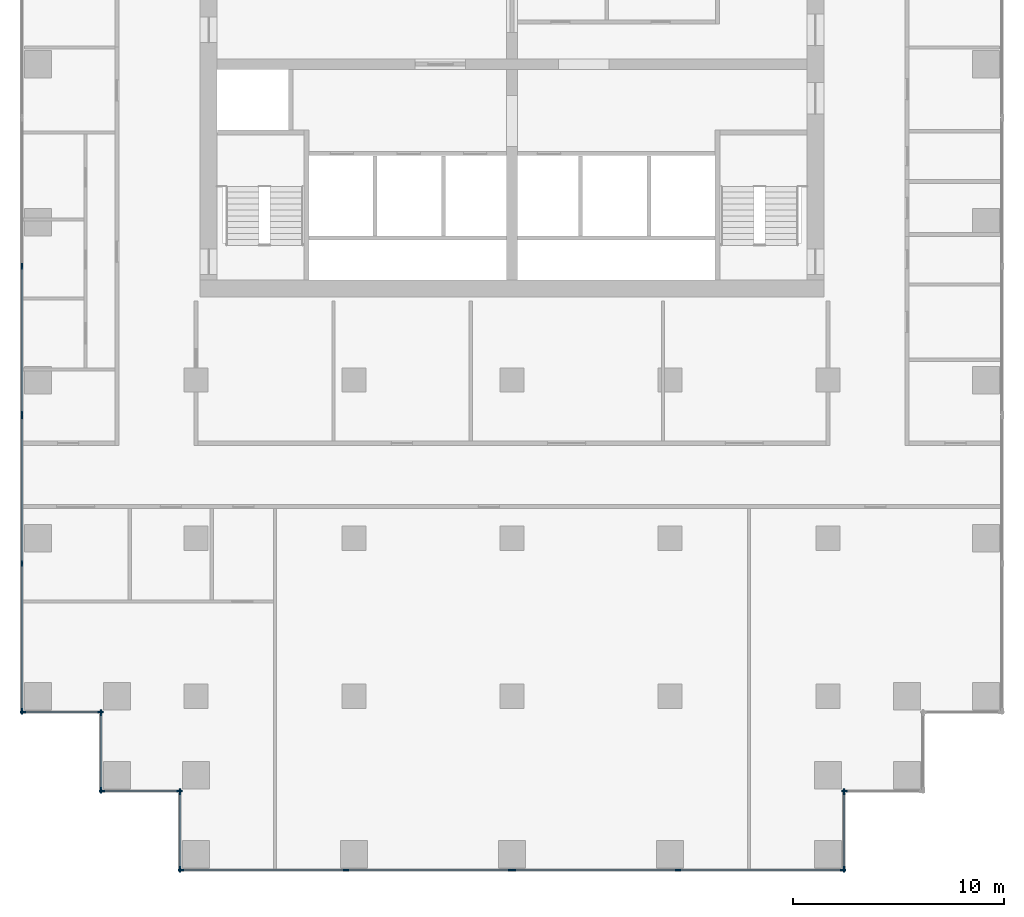
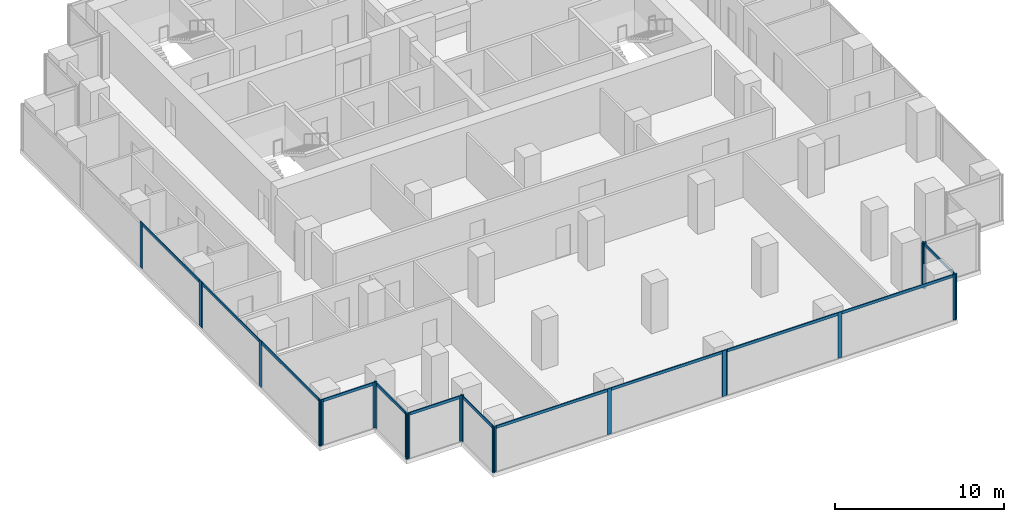
# One storey, part 2 of 10: 34 members, 10 elements without a shape of their own.
"""IFC4 building model written with IfcOpenShell, lengths in metres."""

from ifc_helpers import new_model, si_unit, direction, frame, origin, origin_2d, place, context, subcontext, project, spatial, rectangle, extrude, material, material_profile, profile_set, type_object, element, aggregate, save


model = new_model("IFC4")

# Units and contexts
model_context = context("Model", 3, precision=1e-05, world=origin(), true_north=direction((0.0, 1.0)))
body_context = subcontext(model_context, "Body", "Model", "MODEL_VIEW")
ifc_project = project(units=[si_unit("LENGTHUNIT", "METRE"), si_unit("AREAUNIT", "SQUARE_METRE"), si_unit("VOLUMEUNIT", "CUBIC_METRE"), si_unit("PLANEANGLEUNIT", "RADIAN"), si_unit("MASSUNIT", "GRAM", prefix="KILO")], contexts=[model_context])

# Site, building, storey
site_placement = place(None, origin())
site = spatial("IfcSite", under=ifc_project, at=site_placement, CompositionType="ELEMENT")
building_placement = place(site_placement, origin())
building = spatial("IfcBuilding", under=site, at=building_placement, Name="Pilkhan Gate Tower", CompositionType="ELEMENT")
storey_placement = place(building_placement, frame((0.0, 0.0, 136.0)))
storey = spatial("IfcBuildingStorey", under=building, at=storey_placement, Name="L34", CompositionType="ELEMENT", Elevation=136.0)

# Curtain wall, members
ifc_material_1 = material(Name="Pale anodised aluminium, clear low-iron double glazing", Category="aluminium")
curtain_wall_type = type_object("IfcCurtainWallType", Name="Office unitised curtain wall CW-O1", PredefinedType="USERDEFINED", material=ifc_material_1)
curtain_wall_1_placement = place(storey_placement, origin())
curtain_wall_1 = element("IfcCurtainWall", 1, at=curtain_wall_1_placement, inside=storey, type_object=curtain_wall_type, Name="Office unitised curtain wall CW-O1 L34 W", ObjectType="UNITISED CURTAIN WALL", PredefinedType="USERDEFINED")
ifc_material_2 = material(Name="Pale anodised aluminium", Category="aluminium")
ifc_material_profile_1 = material_profile(ifc_material_2, rectangle(XDim=0.070068359375, YDim=0.27490234375, at=origin_2d()), Name="Mullion 275x70")
ifc_profile_set_1 = profile_set([ifc_material_profile_1], Name="Pale anodised aluminium")
member_type_1 = type_object("IfcMemberType", Name="Mullion CW-O1 275x70", PredefinedType="MULLION", material=ifc_profile_set_1)
member_1_placement = place(storey_placement, frame((51.75, 51.784912109375, 0.0), z_axis=(0.0, 0.0, 1.0), x_axis=(-1.0, 0.0, 0.0)))
member_1 = element("IfcMember", 2, at=member_1_placement, type_object=member_type_1, Name="CW-O1 mullion 1", PredefinedType="MULLION", context=body_context, shape_type="SweptSolid", body=[
    extrude(rectangle(XDim=0.070068359375, YDim=0.27490234375, at=origin_2d()), origin(), (0.0, 0.0, 1.0), 3.300048828125),
])
member_2_placement = place(storey_placement, frame((51.75, 58.800048828125, 0.0), z_axis=(0.0, 0.0, 1.0), x_axis=(-1.0, 0.0, 0.0)))
member_2 = element("IfcMember", 3, at=member_2_placement, type_object=member_type_1, Name="CW-O1 mullion 2", PredefinedType="MULLION", context=body_context, shape_type="SweptSolid", body=[
    extrude(rectangle(XDim=0.070068359375, YDim=0.27490234375, at=origin_2d()), origin(), (0.0, 0.0, 1.0), 3.300048828125),
])
member_3_placement = place(storey_placement, frame((51.75, 65.81494140625, 0.0), z_axis=(0.0, 0.0, 1.0), x_axis=(-1.0, 0.0, 0.0)))
member_3 = element("IfcMember", 4, at=member_3_placement, type_object=member_type_1, Name="CW-O1 mullion 3", PredefinedType="MULLION", context=body_context, shape_type="SweptSolid", body=[
    extrude(rectangle(XDim=0.070068359375, YDim=0.27490234375, at=origin_2d()), origin(), (0.0, 0.0, 1.0), 3.300048828125),
])

curtain_wall_2_placement = place(storey_placement, origin())
curtain_wall_2 = element("IfcCurtainWall", 5, at=curtain_wall_2_placement, inside=storey, type_object=curtain_wall_type, Name="Office unitised curtain wall CW-O1 L34 W", ObjectType="UNITISED CURTAIN WALL", PredefinedType="USERDEFINED")
member_4_placement = place(storey_placement, frame((51.75, 65.885009765625, 0.0), z_axis=(0.0, 0.0, 1.0), x_axis=(-1.0, 0.0, 0.0)))
member_4 = element("IfcMember", 6, at=member_4_placement, type_object=member_type_1, Name="CW-O1 mullion 1", PredefinedType="MULLION", context=body_context, shape_type="SweptSolid", body=[
    extrude(rectangle(XDim=0.070068359375, YDim=0.27490234375, at=origin_2d()), origin(), (0.0, 0.0, 1.0), 3.300048828125),
])
member_5_placement = place(storey_placement, frame((51.75, 72.89990234375, 0.0), z_axis=(0.0, 0.0, 1.0), x_axis=(-1.0, 0.0, 0.0)))
member_5 = element("IfcMember", 7, at=member_5_placement, type_object=member_type_1, Name="CW-O1 mullion 2", PredefinedType="MULLION", context=body_context, shape_type="SweptSolid", body=[
    extrude(rectangle(XDim=0.070068359375, YDim=0.27490234375, at=origin_2d()), origin(), (0.0, 0.0, 1.0), 3.300048828125),
])

curtain_wall_3_placement = place(storey_placement, origin())
curtain_wall_3 = element("IfcCurtainWall", 8, at=curtain_wall_3_placement, inside=storey, type_object=curtain_wall_type, Name="Office unitised curtain wall CW-O1 L34 S", ObjectType="UNITISED CURTAIN WALL", PredefinedType="USERDEFINED")
member_6_placement = place(storey_placement, frame((51.784912109375, 51.75, 0.0), z_axis=(0.0, 0.0, 1.0), x_axis=(0.0, 1.0, 0.0)))
member_6 = element("IfcMember", 9, at=member_6_placement, type_object=member_type_1, Name="CW-O1 mullion 1", PredefinedType="MULLION", context=body_context, shape_type="SweptSolid", body=[
    extrude(rectangle(XDim=0.070068359375, YDim=0.27490234375, at=origin_2d()), origin(), (0.0, 0.0, 1.0), 3.300048828125),
])
member_7_placement = place(storey_placement, frame((55.465087890625, 51.75, 0.0), z_axis=(0.0, 0.0, 1.0), x_axis=(0.0, 1.0, 0.0)))
member_7 = element("IfcMember", 10, at=member_7_placement, type_object=member_type_1, Name="CW-O1 mullion 2", PredefinedType="MULLION", context=body_context, shape_type="SweptSolid", body=[
    extrude(rectangle(XDim=0.070068359375, YDim=0.27490234375, at=origin_2d()), origin(), (0.0, 0.0, 1.0), 3.300048828125),
])

curtain_wall_4_placement = place(storey_placement, origin())
curtain_wall_4 = element("IfcCurtainWall", 11, at=curtain_wall_4_placement, inside=storey, type_object=curtain_wall_type, Name="Office unitised curtain wall CW-O1 L34 W", ObjectType="UNITISED CURTAIN WALL", PredefinedType="USERDEFINED")
member_8_placement = place(storey_placement, frame((55.5, 48.034912109375, 0.0), z_axis=(0.0, 0.0, 1.0), x_axis=(-1.0, 0.0, 0.0)))
member_8 = element("IfcMember", 12, at=member_8_placement, type_object=member_type_1, Name="CW-O1 mullion 1", PredefinedType="MULLION", context=body_context, shape_type="SweptSolid", body=[
    extrude(rectangle(XDim=0.070068359375, YDim=0.27490234375, at=origin_2d()), origin(), (0.0, 0.0, 1.0), 3.300048828125),
])
member_9_placement = place(storey_placement, frame((55.5, 51.715087890625, 0.0), z_axis=(0.0, 0.0, 1.0), x_axis=(-1.0, 0.0, 0.0)))
member_9 = element("IfcMember", 13, at=member_9_placement, type_object=member_type_1, Name="CW-O1 mullion 2", PredefinedType="MULLION", context=body_context, shape_type="SweptSolid", body=[
    extrude(rectangle(XDim=0.070068359375, YDim=0.27490234375, at=origin_2d()), origin(), (0.0, 0.0, 1.0), 3.300048828125),
])

curtain_wall_5_placement = place(storey_placement, origin())
curtain_wall_5 = element("IfcCurtainWall", 14, at=curtain_wall_5_placement, inside=storey, type_object=curtain_wall_type, Name="Office unitised curtain wall CW-O1 L34 S", ObjectType="UNITISED CURTAIN WALL", PredefinedType="USERDEFINED")
member_10_placement = place(storey_placement, frame((55.534912109375, 48.0, 0.0), z_axis=(0.0, 0.0, 1.0), x_axis=(0.0, 1.0, 0.0)))
member_10 = element("IfcMember", 15, at=member_10_placement, type_object=member_type_1, Name="CW-O1 mullion 1", PredefinedType="MULLION", context=body_context, shape_type="SweptSolid", body=[
    extrude(rectangle(XDim=0.070068359375, YDim=0.27490234375, at=origin_2d()), origin(), (0.0, 0.0, 1.0), 3.300048828125),
])
member_11_placement = place(storey_placement, frame((59.215087890625, 48.0, 0.0), z_axis=(0.0, 0.0, 1.0), x_axis=(0.0, 1.0, 0.0)))
member_11 = element("IfcMember", 16, at=member_11_placement, type_object=member_type_1, Name="CW-O1 mullion 2", PredefinedType="MULLION", context=body_context, shape_type="SweptSolid", body=[
    extrude(rectangle(XDim=0.070068359375, YDim=0.27490234375, at=origin_2d()), origin(), (0.0, 0.0, 1.0), 3.300048828125),
])

curtain_wall_6_placement = place(storey_placement, origin())
curtain_wall_6 = element("IfcCurtainWall", 17, at=curtain_wall_6_placement, inside=storey, type_object=curtain_wall_type, Name="Office unitised curtain wall CW-O1 L34 W", ObjectType="UNITISED CURTAIN WALL", PredefinedType="USERDEFINED")
member_12_placement = place(storey_placement, frame((59.25, 44.284912109375, 0.0), z_axis=(0.0, 0.0, 1.0), x_axis=(-1.0, 0.0, 0.0)))
member_12 = element("IfcMember", 18, at=member_12_placement, type_object=member_type_1, Name="CW-O1 mullion 1", PredefinedType="MULLION", context=body_context, shape_type="SweptSolid", body=[
    extrude(rectangle(XDim=0.070068359375, YDim=0.27490234375, at=origin_2d()), origin(), (0.0, 0.0, 1.0), 3.300048828125),
])
member_13_placement = place(storey_placement, frame((59.25, 47.965087890625, 0.0), z_axis=(0.0, 0.0, 1.0), x_axis=(-1.0, 0.0, 0.0)))
member_13 = element("IfcMember", 19, at=member_13_placement, type_object=member_type_1, Name="CW-O1 mullion 2", PredefinedType="MULLION", context=body_context, shape_type="SweptSolid", body=[
    extrude(rectangle(XDim=0.070068359375, YDim=0.27490234375, at=origin_2d()), origin(), (0.0, 0.0, 1.0), 3.300048828125),
])

curtain_wall_7_placement = place(storey_placement, origin())
curtain_wall_7 = element("IfcCurtainWall", 20, at=curtain_wall_7_placement, inside=storey, type_object=curtain_wall_type, Name="Office unitised curtain wall CW-O1 L34 S", ObjectType="UNITISED CURTAIN WALL", PredefinedType="USERDEFINED")
member_14_placement = place(storey_placement, frame((59.284912109375, 44.25, 0.0), z_axis=(0.0, 0.0, 1.0), x_axis=(0.0, 1.0, 0.0)))
member_14 = element("IfcMember", 21, at=member_14_placement, type_object=member_type_1, Name="CW-O1 mullion 1", PredefinedType="MULLION", context=body_context, shape_type="SweptSolid", body=[
    extrude(rectangle(XDim=0.070068359375, YDim=0.27490234375, at=origin_2d()), origin(), (0.0, 0.0, 1.0), 3.300048828125),
])
member_15_placement = place(storey_placement, frame((67.125, 44.25, 0.0), z_axis=(0.0, 0.0, 1.0), x_axis=(0.0, 1.0, 0.0)))
member_15 = element("IfcMember", 22, at=member_15_placement, type_object=member_type_1, Name="CW-O1 mullion 2", PredefinedType="MULLION", context=body_context, shape_type="SweptSolid", body=[
    extrude(rectangle(XDim=0.070068359375, YDim=0.27490234375, at=origin_2d()), origin(), (0.0, 0.0, 1.0), 3.300048828125),
])
member_16_placement = place(storey_placement, frame((74.965087890625, 44.25, 0.0), z_axis=(0.0, 0.0, 1.0), x_axis=(0.0, 1.0, 0.0)))
member_16 = element("IfcMember", 23, at=member_16_placement, type_object=member_type_1, Name="CW-O1 mullion 3", PredefinedType="MULLION", context=body_context, shape_type="SweptSolid", body=[
    extrude(rectangle(XDim=0.070068359375, YDim=0.27490234375, at=origin_2d()), origin(), (0.0, 0.0, 1.0), 3.300048828125),
])

curtain_wall_8_placement = place(storey_placement, origin())
curtain_wall_8 = element("IfcCurtainWall", 24, at=curtain_wall_8_placement, inside=storey, type_object=curtain_wall_type, Name="Office unitised curtain wall CW-O1 L34 S", ObjectType="UNITISED CURTAIN WALL", PredefinedType="USERDEFINED")
member_17_placement = place(storey_placement, frame((75.034912109375, 44.25, 0.0), z_axis=(0.0, 0.0, 1.0), x_axis=(0.0, 1.0, 0.0)))
member_17 = element("IfcMember", 25, at=member_17_placement, type_object=member_type_1, Name="CW-O1 mullion 1", PredefinedType="MULLION", context=body_context, shape_type="SweptSolid", body=[
    extrude(rectangle(XDim=0.070068359375, YDim=0.27490234375, at=origin_2d()), origin(), (0.0, 0.0, 1.0), 3.300048828125),
])
member_18_placement = place(storey_placement, frame((82.875, 44.25, 0.0), z_axis=(0.0, 0.0, 1.0), x_axis=(0.0, 1.0, 0.0)))
member_18 = element("IfcMember", 26, at=member_18_placement, type_object=member_type_1, Name="CW-O1 mullion 2", PredefinedType="MULLION", context=body_context, shape_type="SweptSolid", body=[
    extrude(rectangle(XDim=0.070068359375, YDim=0.27490234375, at=origin_2d()), origin(), (0.0, 0.0, 1.0), 3.300048828125),
])
member_19_placement = place(storey_placement, frame((90.715087890625, 44.25, 0.0), z_axis=(0.0, 0.0, 1.0), x_axis=(0.0, 1.0, 0.0)))
member_19 = element("IfcMember", 27, at=member_19_placement, type_object=member_type_1, Name="CW-O1 mullion 3", PredefinedType="MULLION", context=body_context, shape_type="SweptSolid", body=[
    extrude(rectangle(XDim=0.070068359375, YDim=0.27490234375, at=origin_2d()), origin(), (0.0, 0.0, 1.0), 3.300048828125),
])

curtain_wall_9_placement = place(storey_placement, origin())
curtain_wall_9 = element("IfcCurtainWall", 28, at=curtain_wall_9_placement, inside=storey, type_object=curtain_wall_type, Name="Office unitised curtain wall CW-O1 L34 E", ObjectType="UNITISED CURTAIN WALL", PredefinedType="USERDEFINED")
member_20_placement = place(storey_placement, frame((90.75, 44.284912109375, 0.0), z_axis=(0.0, 0.0, 1.0), x_axis=(-1.0, 0.0, 0.0)))
member_20 = element("IfcMember", 29, at=member_20_placement, type_object=member_type_1, Name="CW-O1 mullion 1", PredefinedType="MULLION", context=body_context, shape_type="SweptSolid", body=[
    extrude(rectangle(XDim=0.070068359375, YDim=0.27490234375, at=origin_2d()), origin(), (0.0, 0.0, 1.0), 3.300048828125),
])
member_21_placement = place(storey_placement, frame((90.75, 47.965087890625, 0.0), z_axis=(0.0, 0.0, 1.0), x_axis=(-1.0, 0.0, 0.0)))
member_21 = element("IfcMember", 30, at=member_21_placement, type_object=member_type_1, Name="CW-O1 mullion 2", PredefinedType="MULLION", context=body_context, shape_type="SweptSolid", body=[
    extrude(rectangle(XDim=0.070068359375, YDim=0.27490234375, at=origin_2d()), origin(), (0.0, 0.0, 1.0), 3.300048828125),
])

# Curtain wall, member
curtain_wall_10_placement = place(storey_placement, origin())
curtain_wall_10 = element("IfcCurtainWall", 31, at=curtain_wall_10_placement, inside=storey, type_object=curtain_wall_type, Name="Office unitised curtain wall CW-O1 L34 S", ObjectType="UNITISED CURTAIN WALL", PredefinedType="USERDEFINED")
member_22_placement = place(storey_placement, frame((90.784912109375, 48.0, 0.0), z_axis=(0.0, 0.0, 1.0), x_axis=(0.0, 1.0, 0.0)))
member_22 = element("IfcMember", 32, at=member_22_placement, type_object=member_type_1, Name="CW-O1 mullion 1", PredefinedType="MULLION", context=body_context, shape_type="SweptSolid", body=[
    extrude(rectangle(XDim=0.070068359375, YDim=0.27490234375, at=origin_2d()), origin(), (0.0, 0.0, 1.0), 3.300048828125),
])
aggregate(curtain_wall_10, [member_22])

# Member
ifc_material_profile_2 = material_profile(ifc_material_2, rectangle(XDim=0.070068359375, YDim=0.199951171875, at=origin_2d()), Name="Transom 200x70")
ifc_profile_set_2 = profile_set([ifc_material_profile_2], Name="Pale anodised aluminium")
member_type_2 = type_object("IfcMemberType", Name="Transom CW-O1 200x70", PredefinedType="USERDEFINED", material=ifc_profile_set_2)
member_23_placement = place(storey_placement, frame((51.75, 51.820068359375, 3.199951171875), z_axis=(0.0, 1.0, 0.0), x_axis=(-1.0, 0.0, 0.0)))
member_23 = element("IfcMember", 33, at=member_23_placement, type_object=member_type_2, Name="CW-O1 transom 1", ObjectType="TRANSOM", PredefinedType="USERDEFINED", context=body_context, shape_type="SweptSolid", body=[
    extrude(rectangle(XDim=0.070068359375, YDim=0.199951171875, at=origin_2d()), origin(), (0.0, 0.0, 1.0), 6.94482421875),
])

member_24_placement = place(storey_placement, frame((51.75, 58.8349609375, 3.199951171875), z_axis=(0.0, 1.0, 0.0), x_axis=(-1.0, 0.0, 0.0)))
member_24 = element("IfcMember", 34, at=member_24_placement, type_object=member_type_2, Name="CW-O1 transom 2", ObjectType="TRANSOM", PredefinedType="USERDEFINED", context=body_context, shape_type="SweptSolid", body=[
    extrude(rectangle(XDim=0.070068359375, YDim=0.199951171875, at=origin_2d()), origin(), (0.0, 0.0, 1.0), 6.945068359375),
])

aggregate(curtain_wall_1, [member_1, member_2, member_3, member_23, member_24])

member_25_placement = place(storey_placement, frame((51.75, 65.919921875, 3.199951171875), z_axis=(0.0, 1.0, 0.0), x_axis=(-1.0, 0.0, 0.0)))
member_25 = element("IfcMember", 35, at=member_25_placement, type_object=member_type_2, Name="CW-O1 transom 1", ObjectType="TRANSOM", PredefinedType="USERDEFINED", context=body_context, shape_type="SweptSolid", body=[
    extrude(rectangle(XDim=0.070068359375, YDim=0.199951171875, at=origin_2d()), origin(), (0.0, 0.0, 1.0), 6.945068359375),
])

aggregate(curtain_wall_2, [member_4, member_5, member_25])

member_26_placement = place(storey_placement, frame((51.820068359375, 51.75, 3.199951171875), z_axis=(1.0, 0.0, 0.0), x_axis=(0.0, 1.0, 0.0)))
member_26 = element("IfcMember", 36, at=member_26_placement, type_object=member_type_2, Name="CW-O1 transom 1", ObjectType="TRANSOM", PredefinedType="USERDEFINED", context=body_context, shape_type="SweptSolid", body=[
    extrude(rectangle(XDim=0.070068359375, YDim=0.199951171875, at=origin_2d()), origin(), (0.0, 0.0, 1.0), 3.60986328125),
])

aggregate(curtain_wall_3, [member_6, member_7, member_26])

member_27_placement = place(storey_placement, frame((55.5, 48.070068359375, 3.199951171875), z_axis=(0.0, 1.0, 0.0), x_axis=(-1.0, 0.0, 0.0)))
member_27 = element("IfcMember", 37, at=member_27_placement, type_object=member_type_2, Name="CW-O1 transom 1", ObjectType="TRANSOM", PredefinedType="USERDEFINED", context=body_context, shape_type="SweptSolid", body=[
    extrude(rectangle(XDim=0.070068359375, YDim=0.199951171875, at=origin_2d()), origin(), (0.0, 0.0, 1.0), 3.60986328125),
])

aggregate(curtain_wall_4, [member_8, member_9, member_27])

member_28_placement = place(storey_placement, frame((55.570068359375, 48.0, 3.199951171875), z_axis=(1.0, 0.0, 0.0), x_axis=(0.0, 1.0, 0.0)))
member_28 = element("IfcMember", 38, at=member_28_placement, type_object=member_type_2, Name="CW-O1 transom 1", ObjectType="TRANSOM", PredefinedType="USERDEFINED", context=body_context, shape_type="SweptSolid", body=[
    extrude(rectangle(XDim=0.070068359375, YDim=0.199951171875, at=origin_2d()), origin(), (0.0, 0.0, 1.0), 3.60986328125),
])

aggregate(curtain_wall_5, [member_10, member_11, member_28])

member_29_placement = place(storey_placement, frame((59.25, 44.320068359375, 3.199951171875), z_axis=(0.0, 1.0, 0.0), x_axis=(-1.0, 0.0, 0.0)))
member_29 = element("IfcMember", 39, at=member_29_placement, type_object=member_type_2, Name="CW-O1 transom 1", ObjectType="TRANSOM", PredefinedType="USERDEFINED", context=body_context, shape_type="SweptSolid", body=[
    extrude(rectangle(XDim=0.070068359375, YDim=0.199951171875, at=origin_2d()), origin(), (0.0, 0.0, 1.0), 3.60986328125),
])

aggregate(curtain_wall_6, [member_12, member_13, member_29])

member_30_placement = place(storey_placement, frame((59.320068359375, 44.25, 3.199951171875), z_axis=(1.0, 0.0, 0.0), x_axis=(0.0, 1.0, 0.0)))
member_30 = element("IfcMember", 40, at=member_30_placement, type_object=member_type_2, Name="CW-O1 transom 1", ObjectType="TRANSOM", PredefinedType="USERDEFINED", context=body_context, shape_type="SweptSolid", body=[
    extrude(rectangle(XDim=0.070068359375, YDim=0.199951171875, at=origin_2d()), origin(), (0.0, 0.0, 1.0), 7.77001953125),
])

member_31_placement = place(storey_placement, frame((67.159912109375, 44.25, 3.199951171875), z_axis=(1.0, 0.0, 0.0), x_axis=(0.0, 1.0, 0.0)))
member_31 = element("IfcMember", 41, at=member_31_placement, type_object=member_type_2, Name="CW-O1 transom 2", ObjectType="TRANSOM", PredefinedType="USERDEFINED", context=body_context, shape_type="SweptSolid", body=[
    extrude(rectangle(XDim=0.070068359375, YDim=0.199951171875, at=origin_2d()), origin(), (0.0, 0.0, 1.0), 7.77001953125),
])

aggregate(curtain_wall_7, [member_14, member_15, member_16, member_30, member_31])

member_32_placement = place(storey_placement, frame((75.070068359375, 44.25, 3.199951171875), z_axis=(1.0, 0.0, 0.0), x_axis=(0.0, 1.0, 0.0)))
member_32 = element("IfcMember", 42, at=member_32_placement, type_object=member_type_2, Name="CW-O1 transom 1", ObjectType="TRANSOM", PredefinedType="USERDEFINED", context=body_context, shape_type="SweptSolid", body=[
    extrude(rectangle(XDim=0.070068359375, YDim=0.199951171875, at=origin_2d()), origin(), (0.0, 0.0, 1.0), 7.77001953125),
])

member_33_placement = place(storey_placement, frame((82.909912109375, 44.25, 3.199951171875), z_axis=(1.0, 0.0, 0.0), x_axis=(0.0, 1.0, 0.0)))
member_33 = element("IfcMember", 43, at=member_33_placement, type_object=member_type_2, Name="CW-O1 transom 2", ObjectType="TRANSOM", PredefinedType="USERDEFINED", context=body_context, shape_type="SweptSolid", body=[
    extrude(rectangle(XDim=0.070068359375, YDim=0.199951171875, at=origin_2d()), origin(), (0.0, 0.0, 1.0), 7.77001953125),
])

aggregate(curtain_wall_8, [member_17, member_18, member_19, member_32, member_33])

member_34_placement = place(storey_placement, frame((90.75, 44.320068359375, 3.199951171875), z_axis=(0.0, 1.0, 0.0), x_axis=(-1.0, 0.0, 0.0)))
member_34 = element("IfcMember", 44, at=member_34_placement, type_object=member_type_2, Name="CW-O1 transom 1", ObjectType="TRANSOM", PredefinedType="USERDEFINED", context=body_context, shape_type="SweptSolid", body=[
    extrude(rectangle(XDim=0.070068359375, YDim=0.199951171875, at=origin_2d()), origin(), (0.0, 0.0, 1.0), 3.60986328125),
])

aggregate(curtain_wall_9, [member_20, member_21, member_34])

save(model, "model.ifc")
